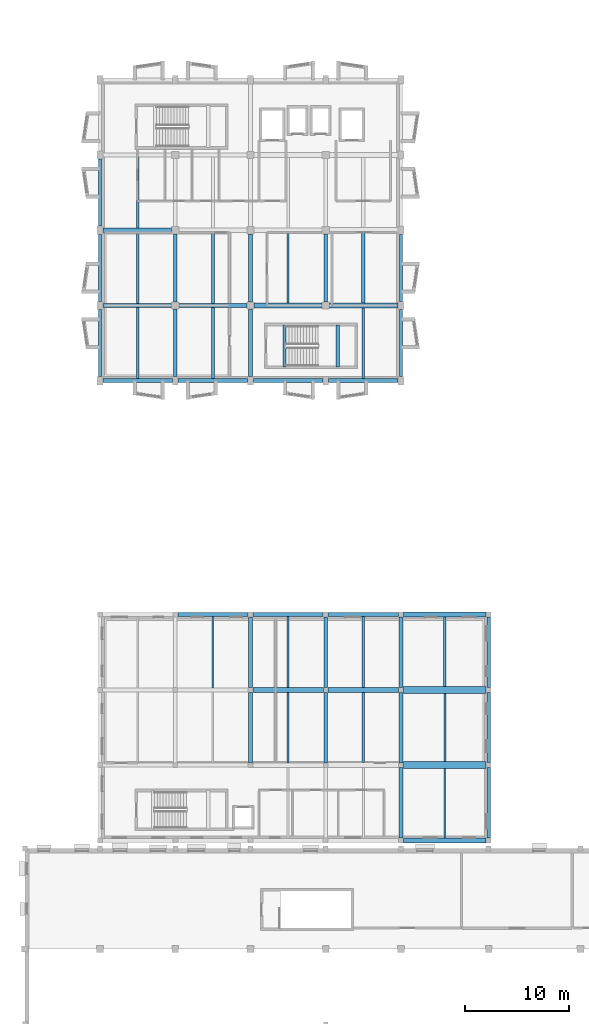
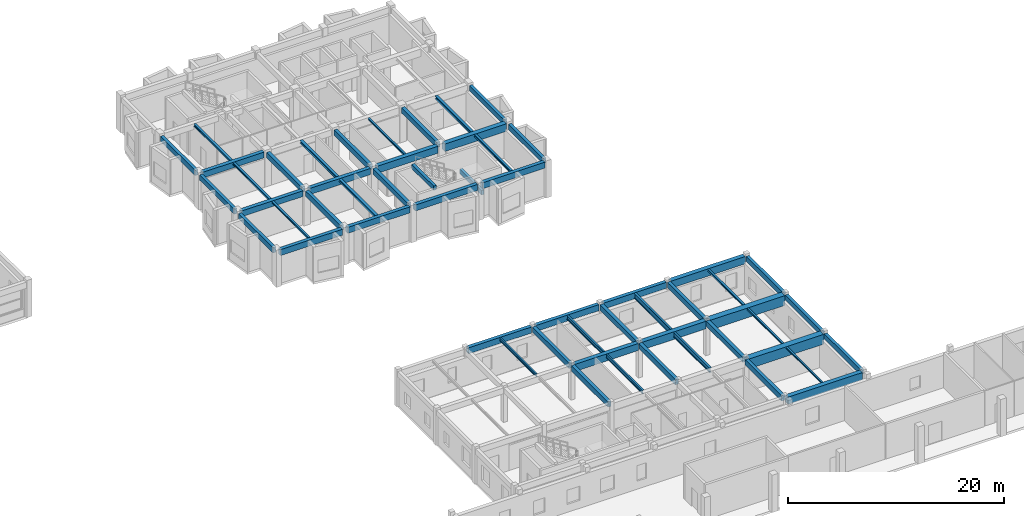
# One storey, part 20 of 49: 56 beams.
"""IFC4 building model written with IfcOpenShell, lengths in metres."""

from ifc_helpers import new_model, si_unit, direction, frame, origin, origin_2d, place, context, subcontext, project, spatial, rectangle, i_section, extrude, material, material_profile, profile_set, type_object, element, save


model = new_model("IFC4")

# Units and contexts
model_context = context("Model", 3, precision=1e-05, world=origin(), true_north=direction((0.0, 1.0)))
body_context = subcontext(model_context, "Body", "Model", "MODEL_VIEW")
ifc_project = project(units=[si_unit("LENGTHUNIT", "METRE"), si_unit("AREAUNIT", "SQUARE_METRE"), si_unit("VOLUMEUNIT", "CUBIC_METRE"), si_unit("PLANEANGLEUNIT", "RADIAN"), si_unit("MASSUNIT", "GRAM", prefix="KILO")], contexts=[model_context])

# Site, building, storey
site_placement = place(None, origin())
site = spatial("IfcSite", under=ifc_project, at=site_placement, CompositionType="ELEMENT")
building_placement = place(site_placement, origin())
building = spatial("IfcBuilding", under=site, at=building_placement, Name="Bramveld Media Centre", CompositionType="ELEMENT")
storey_placement = place(building_placement, frame((0.0, 0.0, 9.60009765625)))
storey = spatial("IfcBuildingStorey", under=building, at=storey_placement, Name="L02", CompositionType="ELEMENT", Elevation=9.60009765625)

# Beams
ifc_material_1 = material(Name="Concrete C40/50", Category="concrete")
ifc_material_profile_1 = material_profile(ifc_material_1, rectangle(XDim=0.300048828125, YDim=0.5, at=origin_2d()), Name="RC 300x500")
ifc_profile_set_1 = profile_set([ifc_material_profile_1], Name="Concrete C40/50")
beam_type_1 = type_object("IfcBeamType", Name="BM-INT-RC-300x500", PredefinedType="BEAM", material=ifc_profile_set_1)
for number, where, z_axis, x_axis, name in (
    (1, (148.85009765625, 84.5, 3.949951171875), (0.0, 1.0, 0.0), (-1.0, 0.0, 0.0), "ST-02 L03 stairwell landing trimmer beam"),
    (2, (153.949951171875, 84.5, 1.64990234375), (0.0, 1.0, 0.0), (-1.0, 0.0, 0.0), "ST-02 L02 stairwell half-landing support beam"),
):
    element("IfcBeam", number, at=place(storey_placement, frame(where, z_axis=z_axis, x_axis=x_axis)), inside=storey, type_object=beam_type_1, Name=name, PredefinedType="BEAM", context=body_context, shape_type="SweptSolid", body=[
        extrude(rectangle(XDim=0.300048828125, YDim=0.5, at=origin_2d()), origin(), (0.0, 0.0, 1.0), 4.050048828125),
    ])
ifc_material_2 = material(Name="Concrete C40/50", Category="concrete")
ifc_material_profile_2 = material_profile(ifc_material_2, rectangle(XDim=0.35009765625, YDim=0.60009765625, at=origin_2d()), Name="RC 350x600")
ifc_profile_set_2 = profile_set([ifc_material_profile_2], Name="Concrete C40/50")
beam_type_2 = type_object("IfcBeamType", Name="BM-INT-RC-350x600", PredefinedType="BEAM", material=ifc_profile_set_2)
beam_1_placement = place(storey_placement, frame((145.60009765625, 46.625, 3.659912109375), z_axis=(0.0, 1.0, 0.0), x_axis=(-1.0, 0.0, 0.0)))
element("IfcBeam", 3, at=beam_1_placement, inside=storey, type_object=beam_type_2, Name="V4 L02 girder Y-591", PredefinedType="BEAM", context=body_context, shape_type="SweptSolid", body=[
    extrude(rectangle(XDim=0.35009765625, YDim=0.60009765625, at=origin_2d()), origin(), (0.0, 0.0, 1.0), 6.75),
])
beam_2_placement = place(storey_placement, frame((145.60009765625, 53.824951171875, 3.659912109375), z_axis=(0.0, 1.0, 0.0), x_axis=(-1.0, 0.0, 0.0)))
element("IfcBeam", 4, at=beam_2_placement, inside=storey, type_object=beam_type_2, Name="V4 L02 girder Y-592", PredefinedType="BEAM", context=body_context, shape_type="SweptSolid", body=[
    extrude(rectangle(XDim=0.35009765625, YDim=0.60009765625, at=origin_2d()), origin(), (0.0, 0.0, 1.0), 6.735107421875),
])
beam_3_placement = place(storey_placement, frame((152.800048828125, 46.625, 3.659912109375), z_axis=(0.0, 1.0, 0.0), x_axis=(-1.0, 0.0, 0.0)))
element("IfcBeam", 5, at=beam_3_placement, inside=storey, type_object=beam_type_2, Name="V4 L02 girder Y-594", PredefinedType="BEAM", context=body_context, shape_type="SweptSolid", body=[
    extrude(rectangle(XDim=0.35009765625, YDim=0.60009765625, at=origin_2d()), origin(), (0.0, 0.0, 1.0), 6.75),
])
for number, where, z_axis, x_axis, name in (
    (6, (152.800048828125, 53.824951171875, 3.659912109375), (0.0, 1.0, 0.0), (-1.0, 0.0, 0.0), "V4 L02 girder Y-595"),
    (7, (160.0, 39.43994140625, 3.659912109375), (0.0, 1.0, 0.0), (-1.0, 0.0, 0.0), "V4 L02 girder Y-596"),
):
    element("IfcBeam", number, at=place(storey_placement, frame(where, z_axis=z_axis, x_axis=x_axis)), inside=storey, type_object=beam_type_2, Name=name, PredefinedType="BEAM", context=body_context, shape_type="SweptSolid", body=[
        extrude(rectangle(XDim=0.35009765625, YDim=0.60009765625, at=origin_2d()), origin(), (0.0, 0.0, 1.0), 6.735107421875),
    ])
beam_4_placement = place(storey_placement, frame((160.0, 46.625, 3.659912109375), z_axis=(0.0, 1.0, 0.0), x_axis=(-1.0, 0.0, 0.0)))
element("IfcBeam", 8, at=beam_4_placement, inside=storey, type_object=beam_type_2, Name="V4 L02 girder Y-597", PredefinedType="BEAM", context=body_context, shape_type="SweptSolid", body=[
    extrude(rectangle(XDim=0.35009765625, YDim=0.60009765625, at=origin_2d()), origin(), (0.0, 0.0, 1.0), 6.75),
])
beam_5_placement = place(storey_placement, frame((160.0, 53.824951171875, 3.659912109375), z_axis=(0.0, 1.0, 0.0), x_axis=(-1.0, 0.0, 0.0)))
element("IfcBeam", 9, at=beam_5_placement, inside=storey, type_object=beam_type_2, Name="V4 L02 girder Y-598", PredefinedType="BEAM", context=body_context, shape_type="SweptSolid", body=[
    extrude(rectangle(XDim=0.35009765625, YDim=0.60009765625, at=origin_2d()), origin(), (0.0, 0.0, 1.0), 6.735107421875),
])
beam_6_placement = place(storey_placement, frame((138.39990234375, 83.60009765625, 3.64990234375), z_axis=(0.0, 1.0, 0.0), x_axis=(-1.0, 0.0, 0.0)))
element("IfcBeam", 10, at=beam_6_placement, inside=storey, type_object=beam_type_2, Name="V7 L02 girder Y-1362", PredefinedType="BEAM", context=body_context, shape_type="SweptSolid", body=[
    extrude(rectangle(XDim=0.35009765625, YDim=0.60009765625, at=origin_2d()), origin(), (0.0, 0.0, 1.0), 6.449951171875),
])
beam_7_placement = place(storey_placement, frame((138.39990234375, 90.75, 3.64990234375), z_axis=(0.0, 1.0, 0.0), x_axis=(-1.0, 0.0, 0.0)))
element("IfcBeam", 11, at=beam_7_placement, inside=storey, type_object=beam_type_2, Name="V7 L02 girder Y-1363", PredefinedType="BEAM", context=body_context, shape_type="SweptSolid", body=[
    extrude(rectangle(XDim=0.35009765625, YDim=0.60009765625, at=origin_2d()), origin(), (0.0, 0.0, 1.0), 6.5),
])
beam_8_placement = place(storey_placement, frame((145.60009765625, 83.60009765625, 3.64990234375), z_axis=(0.0, 1.0, 0.0), x_axis=(-1.0, 0.0, 0.0)))
element("IfcBeam", 12, at=beam_8_placement, inside=storey, type_object=beam_type_2, Name="V7 L02 girder Y-1365", PredefinedType="BEAM", context=body_context, shape_type="SweptSolid", body=[
    extrude(rectangle(XDim=0.35009765625, YDim=0.60009765625, at=origin_2d()), origin(), (0.0, 0.0, 1.0), 6.449951171875),
])
for number, where, z_axis, x_axis, name in (
    (13, (145.60009765625, 90.75, 3.64990234375), (0.0, 1.0, 0.0), (-1.0, 0.0, 0.0), "V7 L02 girder Y-1366"),
    (14, (152.800048828125, 90.75, 3.64990234375), (0.0, 1.0, 0.0), (-1.0, 0.0, 0.0), "V7 L02 girder Y-1369"),
):
    element("IfcBeam", number, at=place(storey_placement, frame(where, z_axis=z_axis, x_axis=x_axis)), inside=storey, type_object=beam_type_2, Name=name, PredefinedType="BEAM", context=body_context, shape_type="SweptSolid", body=[
        extrude(rectangle(XDim=0.35009765625, YDim=0.60009765625, at=origin_2d()), origin(), (0.0, 0.0, 1.0), 6.5),
    ])
ifc_material_3 = material(Name="Concrete C40/50", Category="concrete")
ifc_material_profile_3 = material_profile(ifc_material_3, rectangle(XDim=0.39990234375, YDim=0.64990234375, at=origin_2d()), Name="RC 400x650")
ifc_profile_set_3 = profile_set([ifc_material_profile_3], Name="Concrete C40/50")
beam_type_3 = type_object("IfcBeamType", Name="BM-INT-RC-400x650", PredefinedType="BEAM", material=ifc_profile_set_3)
for number, where, z_axis, x_axis, name in (
    (15, (131.47509765625, 90.39990234375, 3.625), (1.0, 0.0, 0.0), (0.0, 1.0, 0.0), "V7 L02 girder X-1342"),
    (16, (131.47509765625, 97.60009765625, 3.625), (1.0, 0.0, 0.0), (0.0, 1.0, 0.0), "V7 L02 girder X-1346"),
):
    element("IfcBeam", number, at=place(storey_placement, frame(where, z_axis=z_axis, x_axis=x_axis)), inside=storey, type_object=beam_type_3, Name=name, PredefinedType="BEAM", context=body_context, shape_type="SweptSolid", body=[
        extrude(rectangle(XDim=0.39990234375, YDim=0.64990234375, at=origin_2d()), origin(), (0.0, 0.0, 1.0), 6.574951171875),
    ])
ifc_material_4 = material(Name="Concrete C40/50", Category="concrete")
ifc_material_profile_4 = material_profile(ifc_material_4, rectangle(XDim=0.39990234375, YDim=0.699951171875, at=origin_2d()), Name="RC 400x700")
ifc_profile_set_4 = profile_set([ifc_material_profile_4], Name="Concrete C40/50")
beam_type_4 = type_object("IfcBeamType", Name="BM-INT-RC-400x700", PredefinedType="BEAM", material=ifc_profile_set_4)
beam_9_placement = place(storey_placement, frame((138.75, 90.39990234375, 3.599853515625), z_axis=(1.0, 0.0, 0.0), x_axis=(0.0, 1.0, 0.0)))
element("IfcBeam", 17, at=beam_9_placement, inside=storey, type_object=beam_type_4, Name="V7 L02 girder X-1343", PredefinedType="BEAM", context=body_context, shape_type="SweptSolid", body=[
    extrude(rectangle(XDim=0.39990234375, YDim=0.699951171875, at=origin_2d()), origin(), (0.0, 0.0, 1.0), 6.5),
])
ifc_material_5 = material(Name="Concrete C40/50", Category="concrete")
ifc_material_profile_5 = material_profile(ifc_material_5, rectangle(XDim=0.449951171875, YDim=0.800048828125, at=origin_2d()), Name="RC 450x800")
ifc_profile_set_5 = profile_set([ifc_material_profile_5], Name="Concrete C40/50")
beam_type_5 = type_object("IfcBeamType", Name="BM-INT-RC-450x800", PredefinedType="BEAM", material=ifc_profile_set_5)
beam_10_placement = place(storey_placement, frame((145.824951171875, 53.60009765625, 3.559814453125), z_axis=(1.0, 0.0, 0.0), x_axis=(0.0, 1.0, 0.0)))
element("IfcBeam", 18, at=beam_10_placement, inside=storey, type_object=beam_type_5, Name="V4 L02 girder X-578", PredefinedType="BEAM", context=body_context, shape_type="SweptSolid", body=[
    extrude(rectangle(XDim=0.449951171875, YDim=0.800048828125, at=origin_2d()), origin(), (0.0, 0.0, 1.0), 6.75),
])
beam_11_placement = place(storey_placement, frame((145.949951171875, 90.39990234375, 3.5498046875), z_axis=(1.0, 0.0, 0.0), x_axis=(0.0, 1.0, 0.0)))
element("IfcBeam", 19, at=beam_11_placement, inside=storey, type_object=beam_type_5, Name="V7 L02 girder X-1344", PredefinedType="BEAM", context=body_context, shape_type="SweptSolid", body=[
    extrude(rectangle(XDim=0.449951171875, YDim=0.800048828125, at=origin_2d()), origin(), (0.0, 0.0, 1.0), 6.5),
])
ifc_material_6 = material(Name="Concrete C40/50", Category="concrete")
ifc_material_profile_6 = material_profile(ifc_material_6, rectangle(XDim=0.5, YDim=0.85009765625, at=origin_2d()), Name="RC 500x850")
ifc_profile_set_6 = profile_set([ifc_material_profile_6], Name="Concrete C40/50")
beam_type_6 = type_object("IfcBeamType", Name="BM-INT-RC-500x850", PredefinedType="BEAM", material=ifc_profile_set_6)
beam_12_placement = place(storey_placement, frame((153.02490234375, 53.60009765625, 3.534912109375), z_axis=(1.0, 0.0, 0.0), x_axis=(0.0, 1.0, 0.0)))
element("IfcBeam", 20, at=beam_12_placement, inside=storey, type_object=beam_type_6, Name="V4 L02 girder X-579", PredefinedType="BEAM", context=body_context, shape_type="SweptSolid", body=[
    extrude(rectangle(XDim=0.5, YDim=0.85009765625, at=origin_2d()), origin(), (0.0, 0.0, 1.0), 6.75),
])
beam_13_placement = place(storey_placement, frame((153.14990234375, 90.39990234375, 3.52490234375), z_axis=(1.0, 0.0, 0.0), x_axis=(0.0, 1.0, 0.0)))
element("IfcBeam", 21, at=beam_13_placement, inside=storey, type_object=beam_type_6, Name="V7 L02 girder X-1345", PredefinedType="BEAM", context=body_context, shape_type="SweptSolid", body=[
    extrude(rectangle(XDim=0.5, YDim=0.85009765625, at=origin_2d()), origin(), (0.0, 0.0, 1.0), 6.5751953125),
])
ifc_material_7 = material(Name="Concrete C40/50", Category="concrete")
ifc_material_profile_7 = material_profile(ifc_material_7, rectangle(XDim=0.64990234375, YDim=1.10009765625, at=origin_2d()), Name="RC 650x1100")
ifc_profile_set_7 = profile_set([ifc_material_profile_7], Name="Concrete C40/50")
beam_type_7 = type_object("IfcBeamType", Name="BM-INT-RC-650x1100", PredefinedType="BEAM", material=ifc_profile_set_7)
for number, where, z_axis, x_axis, name in (
    (22, (160.22509765625, 46.39990234375, 3.409912109375), (1.0, 0.0, 0.0), (0.0, 1.0, 0.0), "V4 L02 girder X-575"),
    (23, (160.22509765625, 53.60009765625, 3.409912109375), (1.0, 0.0, 0.0), (0.0, 1.0, 0.0), "V4 L02 girder X-580"),
):
    element("IfcBeam", number, at=place(storey_placement, frame(where, z_axis=z_axis, x_axis=x_axis)), inside=storey, type_object=beam_type_7, Name=name, PredefinedType="BEAM", context=body_context, shape_type="SweptSolid", body=[
        extrude(rectangle(XDim=0.64990234375, YDim=1.10009765625, at=origin_2d()), origin(), (0.0, 0.0, 1.0), 7.934814453125),
    ])
ifc_material_8 = material(Name="Steel S355J2", Category="steel")
ifc_material_profile_8 = material_profile(ifc_material_8, i_section(OverallWidth=0.179931640625, OverallDepth=0.1708984375, WebThickness=0.006103515625, FlangeThickness=0.009521484375, FilletRadius=0.014892578125, at=origin_2d()), Name="HEA 180")
ifc_profile_set_8 = profile_set([ifc_material_profile_8], Name="Steel S355J2")
beam_type_8 = type_object("IfcBeamType", Name="SBM-INT-HEA-180", PredefinedType="BEAM", material=ifc_profile_set_8)
beam_14_placement = place(storey_placement, frame((164.199951171875, 39.43994140625, 3.87451171875), z_axis=(0.0, 1.0, 0.0), x_axis=(-1.0, 0.0, 0.0)))
element("IfcBeam", 24, at=beam_14_placement, inside=storey, type_object=beam_type_8, Name="V4 L02 secondary floor joist 612", PredefinedType="BEAM", context=body_context, shape_type="SweptSolid", body=[
    extrude(i_section(OverallWidth=0.179931640625, OverallDepth=0.1708984375, WebThickness=0.006103515625, FlangeThickness=0.009521484375, FilletRadius=0.014892578125, at=origin_2d()), origin(), (0.0, 0.0, 1.0), 6.635009765625),
])
ifc_material_9 = material(Name="Steel S355J2", Category="steel")
ifc_material_profile_9 = material_profile(ifc_material_9, i_section(OverallWidth=0.199951171875, OverallDepth=0.18994140625, WebThickness=0.006591796875, FlangeThickness=0.010009765625, FilletRadius=0.01806640625, at=origin_2d()), Name="HEA 200")
ifc_profile_set_9 = profile_set([ifc_material_profile_9], Name="Steel S355J2")
beam_type_9 = type_object("IfcBeamType", Name="SBM-INT-HEA-200", PredefinedType="BEAM", material=ifc_profile_set_9)
beam_15_placement = place(storey_placement, frame((164.199951171875, 46.72509765625, 3.864990234375), z_axis=(0.0, 1.0, 0.0), x_axis=(-1.0, 0.0, 0.0)))
element("IfcBeam", 25, at=beam_15_placement, inside=storey, type_object=beam_type_9, Name="V4 L02 secondary floor joist 613", PredefinedType="BEAM", context=body_context, shape_type="SweptSolid", body=[
    extrude(i_section(OverallWidth=0.199951171875, OverallDepth=0.18994140625, WebThickness=0.006591796875, FlangeThickness=0.010009765625, FilletRadius=0.01806640625, at=origin_2d()), origin(), (0.0, 0.0, 1.0), 6.5498046875),
])
ifc_material_10 = material(Name="Steel S355J2", Category="steel")
ifc_material_profile_10 = material_profile(ifc_material_10, i_section(OverallWidth=0.219970703125, OverallDepth=0.2099609375, WebThickness=0.007080078125, FlangeThickness=0.010986328125, FilletRadius=0.01806640625, at=origin_2d()), Name="HEA 220")
ifc_profile_set_10 = profile_set([ifc_material_profile_10], Name="Steel S355J2")
beam_type_10 = type_object("IfcBeamType", Name="SBM-INT-HEA-220", PredefinedType="BEAM", material=ifc_profile_set_10)
beam_16_placement = place(storey_placement, frame((164.199951171875, 53.925048828125, 3.85498046875), z_axis=(0.0, 1.0, 0.0), x_axis=(-1.0, 0.0, 0.0)))
element("IfcBeam", 26, at=beam_16_placement, inside=storey, type_object=beam_type_10, Name="V4 L02 secondary floor joist 614", PredefinedType="BEAM", context=body_context, shape_type="SweptSolid", body=[
    extrude(i_section(OverallWidth=0.219970703125, OverallDepth=0.2099609375, WebThickness=0.007080078125, FlangeThickness=0.010986328125, FilletRadius=0.01806640625, at=origin_2d()), origin(), (0.0, 0.0, 1.0), 6.635009765625),
])
beam_17_placement = place(storey_placement, frame((134.800048828125, 83.389892578125, 3.844970703125), z_axis=(0.0, 1.0, 0.0), x_axis=(-1.0, 0.0, 0.0)))
element("IfcBeam", 27, at=beam_17_placement, inside=storey, type_object=beam_type_10, Name="V7 L02 secondary floor joist 1375", PredefinedType="BEAM", context=body_context, shape_type="SweptSolid", body=[
    extrude(i_section(OverallWidth=0.219970703125, OverallDepth=0.2099609375, WebThickness=0.007080078125, FlangeThickness=0.010986328125, FilletRadius=0.01806640625, at=origin_2d()), origin(), (0.0, 0.0, 1.0), 6.81005859375),
])
ifc_material_11 = material(Name="Steel S355J2", Category="steel")
ifc_material_profile_11 = material_profile(ifc_material_11, i_section(OverallWidth=0.239990234375, OverallDepth=0.22998046875, WebThickness=0.007568359375, FlangeThickness=0.011962890625, FilletRadius=0.02099609375, at=origin_2d()), Name="HEA 240")
ifc_profile_set_11 = profile_set([ifc_material_profile_11], Name="Steel S355J2")
beam_type_11 = type_object("IfcBeamType", Name="SBM-INT-HEA-240", PredefinedType="BEAM", material=ifc_profile_set_11)
beam_18_placement = place(storey_placement, frame((134.800048828125, 90.60009765625, 3.8349609375), z_axis=(0.0, 1.0, 0.0), x_axis=(-1.0, 0.0, 0.0)))
element("IfcBeam", 28, at=beam_18_placement, inside=storey, type_object=beam_type_11, Name="V7 L02 secondary floor joist 1376", PredefinedType="BEAM", context=body_context, shape_type="SweptSolid", body=[
    extrude(i_section(OverallWidth=0.239990234375, OverallDepth=0.22998046875, WebThickness=0.007568359375, FlangeThickness=0.011962890625, FilletRadius=0.02099609375, at=origin_2d()), origin(), (0.0, 0.0, 1.0), 6.7998046875),
])
ifc_material_12 = material(Name="Steel S355J2", Category="steel")
ifc_material_profile_12 = material_profile(ifc_material_12, i_section(OverallWidth=0.260009765625, OverallDepth=0.25, WebThickness=0.007568359375, FlangeThickness=0.012451171875, FilletRadius=0.02392578125, at=origin_2d()), Name="HEA 260")
ifc_profile_set_12 = profile_set([ifc_material_profile_12], Name="Steel S355J2")
beam_type_12 = type_object("IfcBeamType", Name="SBM-INT-HEA-260", PredefinedType="BEAM", material=ifc_profile_set_12)
beam_19_placement = place(storey_placement, frame((134.800048828125, 97.800048828125, 3.824951171875), z_axis=(0.0, 1.0, 0.0), x_axis=(-1.0, 0.0, 0.0)))
element("IfcBeam", 29, at=beam_19_placement, inside=storey, type_object=beam_type_12, Name="V7 L02 secondary floor joist 1377", PredefinedType="BEAM", context=body_context, shape_type="SweptSolid", body=[
    extrude(i_section(OverallWidth=0.260009765625, OverallDepth=0.25, WebThickness=0.007568359375, FlangeThickness=0.012451171875, FilletRadius=0.02392578125, at=origin_2d()), origin(), (0.0, 0.0, 1.0), 6.800048828125),
])
ifc_material_13 = material(Name="Steel S355J2", Category="steel")
ifc_material_profile_13 = material_profile(ifc_material_13, i_section(OverallWidth=0.300048828125, OverallDepth=0.2900390625, WebThickness=0.008544921875, FlangeThickness=0.013916015625, FilletRadius=0.027099609375, at=origin_2d()), Name="HEA 300")
ifc_profile_set_13 = profile_set([ifc_material_profile_13], Name="Steel S355J2")
beam_type_13 = type_object("IfcBeamType", Name="SBM-INT-HEA-300", PredefinedType="BEAM", material=ifc_profile_set_13)
beam_20_placement = place(storey_placement, frame((142.0, 83.389892578125, 3.804931640625), z_axis=(0.0, 1.0, 0.0), x_axis=(-1.0, 0.0, 0.0)))
element("IfcBeam", 30, at=beam_20_placement, inside=storey, type_object=beam_type_13, Name="V7 L02 secondary floor joist 1378", PredefinedType="BEAM", context=body_context, shape_type="SweptSolid", body=[
    extrude(i_section(OverallWidth=0.300048828125, OverallDepth=0.2900390625, WebThickness=0.008544921875, FlangeThickness=0.013916015625, FilletRadius=0.027099609375, at=origin_2d()), origin(), (0.0, 0.0, 1.0), 6.81005859375),
])
ifc_material_14 = material(Name="Steel S355J2", Category="steel")
ifc_material_profile_14 = material_profile(ifc_material_14, i_section(OverallWidth=0.300048828125, OverallDepth=0.31005859375, WebThickness=0.009033203125, FlangeThickness=0.015380859375, FilletRadius=0.027099609375, at=origin_2d()), Name="HEA 320")
ifc_profile_set_14 = profile_set([ifc_material_profile_14], Name="Steel S355J2")
beam_type_14 = type_object("IfcBeamType", Name="SBM-INT-HEA-320", PredefinedType="BEAM", material=ifc_profile_set_14)
beam_21_placement = place(storey_placement, frame((142.0, 90.60009765625, 3.794921875), z_axis=(0.0, 1.0, 0.0), x_axis=(-1.0, 0.0, 0.0)))
element("IfcBeam", 31, at=beam_21_placement, inside=storey, type_object=beam_type_14, Name="V7 L02 secondary floor joist 1379", PredefinedType="BEAM", context=body_context, shape_type="SweptSolid", body=[
    extrude(i_section(OverallWidth=0.300048828125, OverallDepth=0.31005859375, WebThickness=0.009033203125, FlangeThickness=0.015380859375, FilletRadius=0.027099609375, at=origin_2d()), origin(), (0.0, 0.0, 1.0), 6.7998046875),
])
ifc_material_15 = material(Name="Steel S355J2", Category="steel")
ifc_material_profile_15 = material_profile(ifc_material_15, i_section(OverallWidth=0.199951171875, OverallDepth=0.199951171875, WebThickness=0.009033203125, FlangeThickness=0.014892578125, FilletRadius=0.01806640625, at=origin_2d()), Name="HEB 200")
ifc_profile_set_15 = profile_set([ifc_material_profile_15], Name="Steel S355J2")
beam_type_15 = type_object("IfcBeamType", Name="SBM-INT-HEB-200", PredefinedType="BEAM", material=ifc_profile_set_15)
beam_22_placement = place(storey_placement, frame((149.199951171875, 90.625, 3.849853515625), z_axis=(0.0, 1.0, 0.0), x_axis=(-1.0, 0.0, 0.0)))
element("IfcBeam", 32, at=beam_22_placement, inside=storey, type_object=beam_type_15, Name="V7 L02 secondary floor joist 1381", PredefinedType="BEAM", context=body_context, shape_type="SweptSolid", body=[
    extrude(i_section(OverallWidth=0.199951171875, OverallDepth=0.199951171875, WebThickness=0.009033203125, FlangeThickness=0.014892578125, FilletRadius=0.01806640625, at=origin_2d()), origin(), (0.0, 0.0, 1.0), 6.75),
])
ifc_material_16 = material(Name="Steel S355J2", Category="steel")
ifc_material_profile_16 = material_profile(ifc_material_16, i_section(OverallWidth=0.260009765625, OverallDepth=0.260009765625, WebThickness=0.010009765625, FlangeThickness=0.017578125, FilletRadius=0.02392578125, at=origin_2d()), Name="HEB 260")
ifc_profile_set_16 = profile_set([ifc_material_profile_16], Name="Steel S355J2")
beam_type_16 = type_object("IfcBeamType", Name="SBM-INT-HEB-260", PredefinedType="BEAM", material=ifc_profile_set_16)
beam_23_placement = place(storey_placement, frame((156.39990234375, 83.389892578125, 3.81982421875), z_axis=(0.0, 1.0, 0.0), x_axis=(-1.0, 0.0, 0.0)))
element("IfcBeam", 33, at=beam_23_placement, inside=storey, type_object=beam_type_16, Name="V7 L02 secondary floor joist 1383", PredefinedType="BEAM", context=body_context, shape_type="SweptSolid", body=[
    extrude(i_section(OverallWidth=0.260009765625, OverallDepth=0.260009765625, WebThickness=0.010009765625, FlangeThickness=0.017578125, FilletRadius=0.02392578125, at=origin_2d()), origin(), (0.0, 0.0, 1.0), 6.760009765625),
])
ifc_material_17 = material(Name="Steel S355J2", Category="steel")
ifc_material_profile_17 = material_profile(ifc_material_17, i_section(OverallWidth=0.300048828125, OverallDepth=0.320068359375, WebThickness=0.011474609375, FlangeThickness=0.0205078125, FilletRadius=0.027099609375, at=origin_2d()), Name="HEB 320")
ifc_profile_set_17 = profile_set([ifc_material_profile_17], Name="Steel S355J2")
beam_type_17 = type_object("IfcBeamType", Name="SBM-INT-HEB-320", PredefinedType="BEAM", material=ifc_profile_set_17)
beam_24_placement = place(storey_placement, frame((156.39990234375, 90.64990234375, 3.789794921875), z_axis=(0.0, 1.0, 0.0), x_axis=(-1.0, 0.0, 0.0)))
element("IfcBeam", 34, at=beam_24_placement, inside=storey, type_object=beam_type_17, Name="V7 L02 secondary floor joist 1384", PredefinedType="BEAM", context=body_context, shape_type="SweptSolid", body=[
    extrude(i_section(OverallWidth=0.300048828125, OverallDepth=0.320068359375, WebThickness=0.011474609375, FlangeThickness=0.0205078125, FilletRadius=0.027099609375, at=origin_2d()), origin(), (0.0, 0.0, 1.0), 6.7001953125),
])
ifc_material_18 = material(Name="Steel S355J2", Category="steel")
ifc_material_profile_18 = material_profile(ifc_material_18, i_section(OverallWidth=0.159912109375, OverallDepth=0.330078125, WebThickness=0.007568359375, FlangeThickness=0.011474609375, FilletRadius=0.01806640625, at=origin_2d()), Name="IPE 330")
ifc_profile_set_18 = profile_set([ifc_material_profile_18], Name="Steel S355J2")
beam_type_18 = type_object("IfcBeamType", Name="SBM-INT-IPE-330", PredefinedType="JOIST", material=ifc_profile_set_18)
beam_25_placement = place(storey_placement, frame((142.0, 53.800048828125, 3.794921875), z_axis=(0.0, 1.0, 0.0), x_axis=(-1.0, 0.0, 0.0)))
element("IfcBeam", 35, at=beam_25_placement, inside=storey, type_object=beam_type_18, Name="V4 L02 secondary floor joist 605", PredefinedType="JOIST", context=body_context, shape_type="SweptSolid", body=[
    extrude(i_section(OverallWidth=0.159912109375, OverallDepth=0.330078125, WebThickness=0.007568359375, FlangeThickness=0.011474609375, FilletRadius=0.01806640625, at=origin_2d()), origin(), (0.0, 0.0, 1.0), 6.81005859375),
])
ifc_material_19 = material(Name="Steel S355J2", Category="steel")
ifc_material_profile_19 = material_profile(ifc_material_19, i_section(OverallWidth=0.179931640625, OverallDepth=0.39990234375, WebThickness=0.008544921875, FlangeThickness=0.013427734375, FilletRadius=0.02099609375, at=origin_2d()), Name="IPE 400")
ifc_profile_set_19 = profile_set([ifc_material_profile_19], Name="Steel S355J2")
beam_type_19 = type_object("IfcBeamType", Name="SBM-INT-IPE-400", PredefinedType="JOIST", material=ifc_profile_set_19)
beam_26_placement = place(storey_placement, frame((149.199951171875, 46.625, 3.760009765625), z_axis=(0.0, 1.0, 0.0), x_axis=(-1.0, 0.0, 0.0)))
element("IfcBeam", 36, at=beam_26_placement, inside=storey, type_object=beam_type_19, Name="V4 L02 secondary floor joist 607", PredefinedType="JOIST", context=body_context, shape_type="SweptSolid", body=[
    extrude(i_section(OverallWidth=0.179931640625, OverallDepth=0.39990234375, WebThickness=0.008544921875, FlangeThickness=0.013427734375, FilletRadius=0.02099609375, at=origin_2d()), origin(), (0.0, 0.0, 1.0), 6.75),
])
ifc_material_20 = material(Name="Steel S355J2", Category="steel")
ifc_material_profile_20 = material_profile(ifc_material_20, i_section(OverallWidth=0.18994140625, OverallDepth=0.449951171875, WebThickness=0.009521484375, FlangeThickness=0.0146484375, FilletRadius=0.02099609375, at=origin_2d()), Name="IPE 450")
ifc_profile_set_20 = profile_set([ifc_material_profile_20], Name="Steel S355J2")
beam_type_20 = type_object("IfcBeamType", Name="SBM-INT-IPE-450", PredefinedType="BEAM", material=ifc_profile_set_20)
beam_27_placement = place(storey_placement, frame((149.199951171875, 53.824951171875, 3.73486328125), z_axis=(0.0, 1.0, 0.0), x_axis=(-1.0, 0.0, 0.0)))
element("IfcBeam", 37, at=beam_27_placement, inside=storey, type_object=beam_type_20, Name="V4 L02 secondary floor joist 608", PredefinedType="BEAM", context=body_context, shape_type="SweptSolid", body=[
    extrude(i_section(OverallWidth=0.18994140625, OverallDepth=0.449951171875, WebThickness=0.009521484375, FlangeThickness=0.0146484375, FilletRadius=0.02099609375, at=origin_2d()), origin(), (0.0, 0.0, 1.0), 6.78515625),
])
ifc_material_21 = material(Name="Steel S355J2", Category="steel")
ifc_material_profile_21 = material_profile(ifc_material_21, i_section(OverallWidth=0.2099609375, OverallDepth=0.550048828125, WebThickness=0.010986328125, FlangeThickness=0.01708984375, FilletRadius=0.02392578125, at=origin_2d()), Name="IPE 550")
ifc_profile_set_21 = profile_set([ifc_material_profile_21], Name="Steel S355J2")
beam_type_21 = type_object("IfcBeamType", Name="SBM-INT-IPE-550", PredefinedType="BEAM", material=ifc_profile_set_21)
beam_28_placement = place(storey_placement, frame((156.39990234375, 46.64990234375, 3.684814453125), z_axis=(0.0, 1.0, 0.0), x_axis=(-1.0, 0.0, 0.0)))
element("IfcBeam", 38, at=beam_28_placement, inside=storey, type_object=beam_type_21, Name="V4 L02 secondary floor joist 610", PredefinedType="BEAM", context=body_context, shape_type="SweptSolid", body=[
    extrude(i_section(OverallWidth=0.2099609375, OverallDepth=0.550048828125, WebThickness=0.010986328125, FlangeThickness=0.01708984375, FilletRadius=0.02392578125, at=origin_2d()), origin(), (0.0, 0.0, 1.0), 6.7001953125),
])
ifc_material_22 = material(Name="Steel S355J2", Category="steel")
ifc_material_profile_22 = material_profile(ifc_material_22, i_section(OverallWidth=0.219970703125, OverallDepth=0.60009765625, WebThickness=0.011962890625, FlangeThickness=0.01904296875, FilletRadius=0.02392578125, at=origin_2d()), Name="IPE 600")
ifc_profile_set_22 = profile_set([ifc_material_profile_22], Name="Steel S355J2")
beam_type_22 = type_object("IfcBeamType", Name="SBM-INT-IPE-600", PredefinedType="BEAM", material=ifc_profile_set_22)
beam_29_placement = place(storey_placement, frame((156.39990234375, 53.85009765625, 3.659912109375), z_axis=(0.0, 1.0, 0.0), x_axis=(-1.0, 0.0, 0.0)))
element("IfcBeam", 39, at=beam_29_placement, inside=storey, type_object=beam_type_22, Name="V4 L02 secondary floor joist 611", PredefinedType="BEAM", context=body_context, shape_type="SweptSolid", body=[
    extrude(i_section(OverallWidth=0.219970703125, OverallDepth=0.60009765625, WebThickness=0.011962890625, FlangeThickness=0.01904296875, FilletRadius=0.02392578125, at=origin_2d()), origin(), (0.0, 0.0, 1.0), 6.760009765625),
])
ifc_material_23 = material(Name="Concrete C40/50", Category="concrete")
ifc_material_profile_23 = material_profile(ifc_material_23, rectangle(XDim=0.320068359375, YDim=0.580078125, at=origin_2d()), Name="RC 320x580")
ifc_profile_set_23 = profile_set([ifc_material_profile_23], Name="Concrete C40/50")
beam_type_23 = type_object("IfcBeamType", Name="SPANDREL-EXT-RC-320x580", PredefinedType="SPANDREL", material=ifc_profile_set_23)
beam_30_placement = place(storey_placement, frame((168.39990234375, 39.43994140625, 3.669921875), z_axis=(0.0, 1.0, 0.0), x_axis=(-1.0, 0.0, 0.0)))
element("IfcBeam", 40, at=beam_30_placement, inside=storey, type_object=beam_type_23, Name="V4 L02 girder Y-599", PredefinedType="SPANDREL", context=body_context, shape_type="SweptSolid", body=[
    extrude(rectangle(XDim=0.320068359375, YDim=0.580078125, at=origin_2d()), origin(), (0.0, 0.0, 1.0), 6.719970703125),
])
beam_31_placement = place(storey_placement, frame((168.39990234375, 46.639892578125, 3.669921875), z_axis=(0.0, 1.0, 0.0), x_axis=(-1.0, 0.0, 0.0)))
element("IfcBeam", 41, at=beam_31_placement, inside=storey, type_object=beam_type_23, Name="V4 L02 girder Y-600", PredefinedType="SPANDREL", context=body_context, shape_type="SweptSolid", body=[
    extrude(rectangle(XDim=0.320068359375, YDim=0.580078125, at=origin_2d()), origin(), (0.0, 0.0, 1.0), 6.72021484375),
])
beam_32_placement = place(storey_placement, frame((168.39990234375, 53.840087890625, 3.669921875), z_axis=(0.0, 1.0, 0.0), x_axis=(-1.0, 0.0, 0.0)))
element("IfcBeam", 42, at=beam_32_placement, inside=storey, type_object=beam_type_23, Name="V4 L02 girder Y-601", PredefinedType="SPANDREL", context=body_context, shape_type="SweptSolid", body=[
    extrude(rectangle(XDim=0.320068359375, YDim=0.580078125, at=origin_2d()), origin(), (0.0, 0.0, 1.0), 6.719970703125),
])
for number, where, z_axis, x_axis, name in (
    (43, (131.199951171875, 83.60009765625, 3.659912109375), (0.0, 1.0, 0.0), (-1.0, 0.0, 0.0), "V7 L02 girder Y-1358"),
    (44, (131.199951171875, 90.800048828125, 3.659912109375), (0.0, 1.0, 0.0), (-1.0, 0.0, 0.0), "V7 L02 girder Y-1359"),
    (45, (131.199951171875, 98.0, 3.659912109375), (0.0, 1.0, 0.0), (-1.0, 0.0, 0.0), "V7 L02 girder Y-1360"),
    (46, (160.0, 83.60009765625, 3.659912109375), (0.0, 1.0, 0.0), (-1.0, 0.0, 0.0), "V7 L02 girder Y-1371"),
    (47, (160.0, 90.800048828125, 3.659912109375), (0.0, 1.0, 0.0), (-1.0, 0.0, 0.0), "V7 L02 girder Y-1372"),
):
    element("IfcBeam", number, at=place(storey_placement, frame(where, z_axis=z_axis, x_axis=x_axis)), inside=storey, type_object=beam_type_23, Name=name, PredefinedType="SPANDREL", context=body_context, shape_type="SweptSolid", body=[
        extrude(rectangle(XDim=0.320068359375, YDim=0.580078125, at=origin_2d()), origin(), (0.0, 0.0, 1.0), 6.39990234375),
    ])
ifc_material_24 = material(Name="Concrete C40/50", Category="concrete")
ifc_material_profile_24 = material_profile(ifc_material_24, rectangle(XDim=0.3798828125, YDim=0.679931640625, at=origin_2d()), Name="RC 380x680")
ifc_profile_set_24 = profile_set([ifc_material_profile_24], Name="Concrete C40/50")
beam_type_24 = type_object("IfcBeamType", Name="SPANDREL-EXT-RC-380x680", PredefinedType="SPANDREL", material=ifc_profile_set_24)
beam_33_placement = place(storey_placement, frame((138.639892578125, 60.800048828125, 3.619873046875), z_axis=(1.0, 0.0, 0.0), x_axis=(0.0, 1.0, 0.0)))
element("IfcBeam", 48, at=beam_33_placement, inside=storey, type_object=beam_type_24, Name="V4 L02 girder X-582", PredefinedType="SPANDREL", context=body_context, shape_type="SweptSolid", body=[
    extrude(rectangle(XDim=0.3798828125, YDim=0.679931640625, at=origin_2d()), origin(), (0.0, 0.0, 1.0), 6.72021484375),
])
for number, where, z_axis, x_axis, name in (
    (49, (145.840087890625, 60.800048828125, 3.619873046875), (1.0, 0.0, 0.0), (0.0, 1.0, 0.0), "V4 L02 girder X-583"),
    (50, (153.0400390625, 60.800048828125, 3.619873046875), (1.0, 0.0, 0.0), (0.0, 1.0, 0.0), "V4 L02 girder X-584"),
):
    element("IfcBeam", number, at=place(storey_placement, frame(where, z_axis=z_axis, x_axis=x_axis)), inside=storey, type_object=beam_type_24, Name=name, PredefinedType="SPANDREL", context=body_context, shape_type="SweptSolid", body=[
        extrude(rectangle(XDim=0.3798828125, YDim=0.679931640625, at=origin_2d()), origin(), (0.0, 0.0, 1.0), 6.719970703125),
    ])
for number, where, z_axis, x_axis, name in (
    (51, (131.47509765625, 83.199951171875, 3.60986328125), (1.0, 0.0, 0.0), (0.0, 1.0, 0.0), "V7 L02 girder X-1338"),
    (52, (138.675048828125, 83.199951171875, 3.60986328125), (1.0, 0.0, 0.0), (0.0, 1.0, 0.0), "V7 L02 girder X-1339"),
    (53, (145.875, 83.199951171875, 3.60986328125), (1.0, 0.0, 0.0), (0.0, 1.0, 0.0), "V7 L02 girder X-1340"),
):
    element("IfcBeam", number, at=place(storey_placement, frame(where, z_axis=z_axis, x_axis=x_axis)), inside=storey, type_object=beam_type_24, Name=name, PredefinedType="SPANDREL", context=body_context, shape_type="SweptSolid", body=[
        extrude(rectangle(XDim=0.3798828125, YDim=0.679931640625, at=origin_2d()), origin(), (0.0, 0.0, 1.0), 6.64990234375),
    ])
beam_34_placement = place(storey_placement, frame((153.074951171875, 83.199951171875, 3.60986328125), z_axis=(1.0, 0.0, 0.0), x_axis=(0.0, 1.0, 0.0)))
element("IfcBeam", 54, at=beam_34_placement, inside=storey, type_object=beam_type_24, Name="V7 L02 girder X-1341", PredefinedType="SPANDREL", context=body_context, shape_type="SweptSolid", body=[
    extrude(rectangle(XDim=0.3798828125, YDim=0.679931640625, at=origin_2d()), origin(), (0.0, 0.0, 1.0), 6.650146484375),
])
ifc_material_25 = material(Name="Concrete C40/50", Category="concrete")
ifc_material_profile_25 = material_profile(ifc_material_25, rectangle(XDim=0.47998046875, YDim=0.820068359375, at=origin_2d()), Name="RC 480x820")
ifc_profile_set_25 = profile_set([ifc_material_profile_25], Name="Concrete C40/50")
beam_type_25 = type_object("IfcBeamType", Name="SPANDREL-EXT-RC-480x820", PredefinedType="SPANDREL", material=ifc_profile_set_25)
for number, where, z_axis, x_axis, name in (
    (55, (160.239990234375, 39.199951171875, 3.5498046875), (1.0, 0.0, 0.0), (0.0, 1.0, 0.0), "V4 L02 girder X-570"),
    (56, (160.239990234375, 60.800048828125, 3.5498046875), (1.0, 0.0, 0.0), (0.0, 1.0, 0.0), "V4 L02 girder X-585"),
):
    element("IfcBeam", number, at=place(storey_placement, frame(where, z_axis=z_axis, x_axis=x_axis)), inside=storey, type_object=beam_type_25, Name=name, PredefinedType="SPANDREL", context=body_context, shape_type="SweptSolid", body=[
        extrude(rectangle(XDim=0.47998046875, YDim=0.820068359375, at=origin_2d()), origin(), (0.0, 0.0, 1.0), 7.919921875),
    ])

save(model, "model.ifc")
